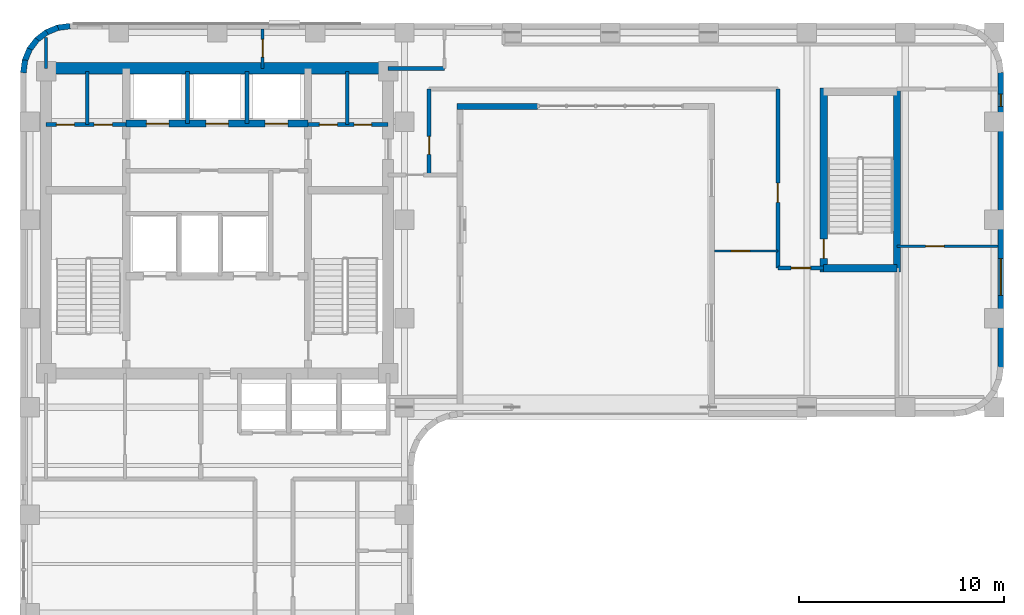
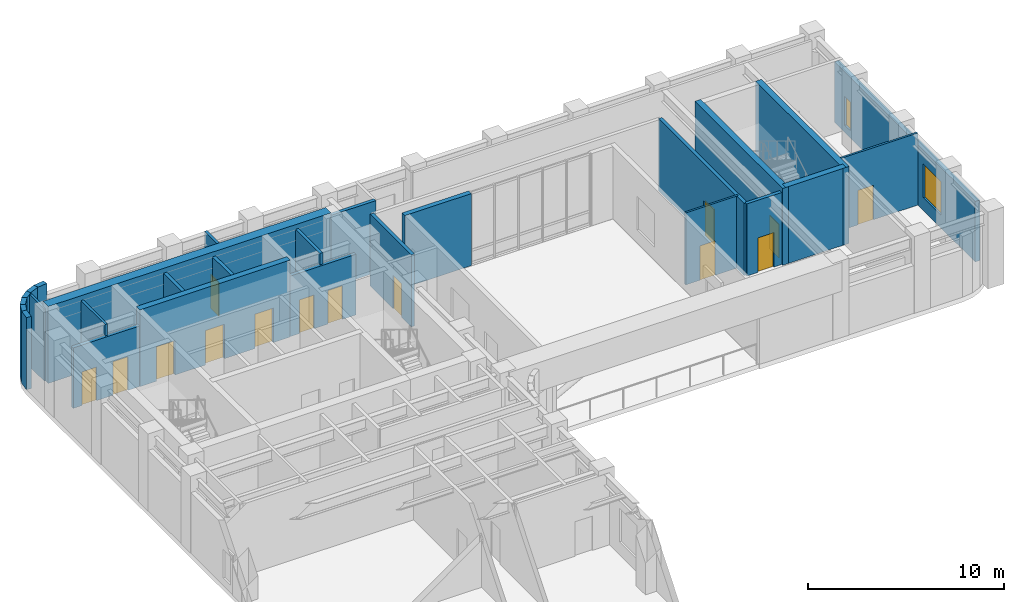
# One storey, part 8 of 12: 27 walls, 14 doors, 2 windows, 16 openings.
"""IFC4 building model written with IfcOpenShell, lengths in metres."""

from ifc_helpers import new_model, si_unit, direction, frame, frame_2d, origin, place, context, subcontext, project, spatial, rectangle, extrude, material, layer, layer_set, type_object, element, fill, save


model = new_model("IFC4")

# Units and contexts
model_context = context("Model", 3, precision=1e-05, world=origin(), true_north=direction((0.0, 1.0)))
body_context = subcontext(model_context, "Body", "Model", "MODEL_VIEW")
ifc_project = project(units=[si_unit("LENGTHUNIT", "METRE"), si_unit("AREAUNIT", "SQUARE_METRE"), si_unit("VOLUMEUNIT", "CUBIC_METRE"), si_unit("PLANEANGLEUNIT", "RADIAN"), si_unit("MASSUNIT", "GRAM", prefix="KILO")], contexts=[model_context])

# Site, building, storey
site_placement = place(None, origin())
site = spatial("IfcSite", under=ifc_project, at=site_placement, CompositionType="ELEMENT")
building_placement = place(site_placement, origin())
building = spatial("IfcBuilding", under=site, at=building_placement, Name="Orvandelia Arch Residences", CompositionType="ELEMENT")
storey_placement = place(building_placement, frame((0.0, 0.0, 193.60009765625)))
storey = spatial("IfcBuildingStorey", under=building, at=storey_placement, Name="L51", CompositionType="ELEMENT", Elevation=193.60009765625)

# Wall, openings, doors
ifc_material_1 = material(Name="Concrete C50/60", Category="concrete")
ifc_layer_1 = layer(ifc_material_1, 0.35009765625, Name="Concrete C50/60", Category="concrete")
ifc_layer_set_1 = layer_set([ifc_layer_1], Name="Concrete C50/60")
wall_type_1 = type_object("IfcWallType", Name="WL-CORE-350", PredefinedType="SHEAR", material=ifc_layer_set_1)
wall_1_placement = place(storey_placement, frame((9.9599609375, 43.10009765625, 0.0), z_axis=(0.0, 0.0, 1.0), x_axis=(1.0, 0.0, 0.0)))
wall_1 = element("IfcWall", 1, at=wall_1_placement, inside=storey, type_object=wall_type_1, Name="Core Shear Wall L51-HZ4", PredefinedType="SHEAR", context=body_context, shape_type="SweptSolid", body=[
    extrude(rectangle(XDim=8.880126953125, YDim=0.35009765625, at=frame_2d((4.43994140625, 0.0))), origin(), (0.0, 0.0, 1.0), 4.7998046875),
])
opening_1_placement = place(wall_1_placement, frame((0.989990234375, 0.0, 0.0)))
opening_1 = element("IfcOpeningElement", 2, at=opening_1_placement, cuts=wall_1, Name="Opening LD", PredefinedType="OPENING", context=body_context, shape_type="SweptSolid", body=[
    extrude(rectangle(XDim=1.10009765625, YDim=2.14990234375, at=frame_2d((0.550048828125, 1.074951171875))), frame((0.0, 0.18505859375, 0.0), z_axis=(0.0, -1.0, 0.0), x_axis=(1.0, 0.0, 0.0)), (0.0, 0.0, 1.0), 0.3701171875),
])
opening_2_placement = place(wall_1_placement, frame((3.889892578125, 0.0, 0.0)))
opening_2 = element("IfcOpeningElement", 3, at=opening_2_placement, cuts=wall_1, Name="Opening LD", PredefinedType="OPENING", context=body_context, shape_type="SweptSolid", body=[
    extrude(rectangle(XDim=1.10009765625, YDim=2.14990234375, at=frame_2d((0.550048828125, 1.074951171875))), frame((0.0, 0.18505859375, 0.0), z_axis=(0.0, -1.0, 0.0), x_axis=(1.0, 0.0, 0.0)), (0.0, 0.0, 1.0), 0.3701171875),
])
opening_3_placement = place(wall_1_placement, frame((6.7900390625, 0.0, 0.0)))
opening_3 = element("IfcOpeningElement", 4, at=opening_3_placement, cuts=wall_1, Name="Opening LD", PredefinedType="OPENING", context=body_context, shape_type="SweptSolid", body=[
    extrude(rectangle(XDim=1.10009765625, YDim=2.14990234375, at=frame_2d((0.550048828125, 1.074951171875))), frame((0.0, 0.18505859375, 0.0), z_axis=(0.0, -1.0, 0.0), x_axis=(1.0, 0.0, 0.0)), (0.0, 0.0, 1.0), 0.3701171875),
])
ifc_material_2 = material(Name="Brushed Stainless Steel Sliding Lift Door", Category="steel")
door_type_1 = type_object("IfcDoorType", Name="DR-LIFT-1100", OperationType="NOTDEFINED", PredefinedType="DOOR", material=ifc_material_2)
door_1_placement = place(opening_1_placement, origin())
door_1 = element("IfcDoor", 5, at=door_1_placement, inside=storey, type_object=door_type_1, Name="Lift Landing Door LD-PH1-L51", OperationType="SLIDING_TO_LEFT", OverallHeight=2.14990234375, OverallWidth=1.10009765625, PredefinedType="DOOR", context=body_context, shape_type="SweptSolid", body=[
    extrude(rectangle(XDim=1.10009765625, YDim=2.14990234375, at=frame_2d((0.550048828125, 1.074951171875))), frame((0.0, 0.02490234375, 0.0), z_axis=(0.0, -1.0, 0.0), x_axis=(1.0, 0.0, 0.0)), (0.0, 0.0, 1.0), 0.050048828125),
])
fill(opening_1, door_1)
door_2_placement = place(opening_2_placement, origin())
door_2 = element("IfcDoor", 6, at=door_2_placement, inside=storey, type_object=door_type_1, Name="Lift Landing Door LD-PH2-L51", OperationType="SLIDING_TO_RIGHT", OverallHeight=2.14990234375, OverallWidth=1.10009765625, PredefinedType="DOOR", context=body_context, shape_type="SweptSolid", body=[
    extrude(rectangle(XDim=1.10009765625, YDim=2.14990234375, at=frame_2d((0.550048828125, 1.074951171875))), frame((0.0, 0.02490234375, 0.0), z_axis=(0.0, -1.0, 0.0), x_axis=(1.0, 0.0, 0.0)), (0.0, 0.0, 1.0), 0.050048828125),
])
fill(opening_2, door_2)
door_3_placement = place(opening_3_placement, origin())
door_3 = element("IfcDoor", 7, at=door_3_placement, inside=storey, type_object=door_type_1, Name="Lift Landing Door LD-PH3-L51", OperationType="SLIDING_TO_LEFT", OverallHeight=2.14990234375, OverallWidth=1.10009765625, PredefinedType="DOOR", context=body_context, shape_type="SweptSolid", body=[
    extrude(rectangle(XDim=1.10009765625, YDim=2.14990234375, at=frame_2d((0.550048828125, 1.074951171875))), frame((0.0, 0.02490234375, 0.0), z_axis=(0.0, -1.0, 0.0), x_axis=(1.0, 0.0, 0.0)), (0.0, 0.0, 1.0), 0.050048828125),
])
fill(opening_3, door_3)

# Wall, opening, door
wall_2_placement = place(storey_placement, frame((44.02001953125, 35.864990234375, 0.0), z_axis=(0.0, 0.0, 1.0), x_axis=(0.0, 1.0, 0.0)))
wall_2 = element("IfcWall", 8, at=wall_2_placement, inside=storey, type_object=wall_type_1, Name="East Stair Core Shear Wall L51-W", PredefinedType="SHEAR", context=body_context, shape_type="SweptSolid", body=[
    extrude(rectangle(XDim=8.969970703125, YDim=0.35009765625, at=frame_2d((4.48486328125, 0.0))), origin(), (0.0, 0.0, 1.0), 4.7998046875),
])
opening_4_placement = place(wall_2_placement, frame((0.64990234375, 0.0, 0.0)))
opening_4 = element("IfcOpeningElement", 9, at=opening_4_placement, cuts=wall_2, Name="Opening D7", PredefinedType="OPENING", context=body_context, shape_type="SweptSolid", body=[
    extrude(rectangle(XDim=0.949951171875, YDim=2.10009765625, at=frame_2d((0.47509765625, 1.050048828125))), frame((0.0, 0.18505859375, 0.0), z_axis=(0.0, -1.0, 0.0), x_axis=(1.0, 0.0, 0.0)), (0.0, 0.0, 1.0), 0.3701171875),
])
ifc_material_3 = material(Name="Pressurised Stairwell Fire Door")
door_type_2 = type_object("IfcDoorType", Name="DR-STAIR-950", OperationType="NOTDEFINED", PredefinedType="DOOR", material=ifc_material_3)
door_4_placement = place(opening_4_placement, origin())
door_4 = element("IfcDoor", 10, at=door_4_placement, inside=storey, type_object=door_type_2, Name="East Stairwell ST-3 Fire Door L51", OperationType="SINGLE_SWING_LEFT", OverallHeight=2.10009765625, OverallWidth=0.949951171875, PredefinedType="DOOR", context=body_context, shape_type="SweptSolid", body=[
    extrude(rectangle(XDim=0.949951171875, YDim=2.10009765625, at=frame_2d((0.47509765625, 1.050048828125))), frame((0.0, 0.02490234375, 0.0), z_axis=(0.0, -1.0, 0.0), x_axis=(1.0, 0.0, 0.0)), (0.0, 0.0, 1.0), 0.050048828125),
])
fill(opening_4, door_4)

# Walls
wall_3_placement = place(storey_placement, frame((47.60009765625, 35.864990234375, 0.0), z_axis=(0.0, 0.0, 1.0), x_axis=(0.0, 1.0, 0.0)))
element("IfcWall", 11, at=wall_3_placement, inside=storey, type_object=wall_type_1, Name="East Stair Core Shear Wall L51-E", PredefinedType="SHEAR", context=body_context, shape_type="SweptSolid", body=[
    extrude(rectangle(XDim=8.969970703125, YDim=0.35009765625, at=frame_2d((4.48486328125, 0.0))), origin(), (0.0, 0.0, 1.0), 4.7998046875),
])
wall_4_placement = place(storey_placement, frame((44.02001953125, 36.0400390625, 0.0), z_axis=(0.0, 0.0, 1.0), x_axis=(1.0, 0.0, 0.0)))
element("IfcWall", 12, at=wall_4_placement, inside=storey, type_object=wall_type_1, Name="East Stair Core Shear Wall L51-S", PredefinedType="SHEAR", context=body_context, shape_type="SweptSolid", body=[
    extrude(rectangle(XDim=3.580078125, YDim=0.35009765625, at=frame_2d((1.7900390625, 0.0))), origin(), (0.0, 0.0, 1.0), 4.7998046875),
])
ifc_material_4 = material(Name="Concrete C60/75", Category="concrete")
ifc_layer_2 = layer(ifc_material_4, 0.550048828125, Name="Concrete C60/75", Category="concrete")
ifc_layer_set_2 = layer_set([ifc_layer_2], Name="Concrete C60/75")
wall_type_2 = type_object("IfcWallType", Name="WL-CORE-550", PredefinedType="SHEAR", material=ifc_layer_set_2)
wall_5_placement = place(storey_placement, frame((6.050048828125, 45.800048828125, 0.0), z_axis=(0.0, 0.0, 1.0), x_axis=(1.0, 0.0, 0.0)))
element("IfcWall", 13, at=wall_5_placement, inside=storey, type_object=wall_type_2, Name="Core Shear Wall L51-N", PredefinedType="SHEAR", context=body_context, shape_type="SweptSolid", body=[
    extrude(rectangle(XDim=16.699951171875, YDim=0.550048828125, at=frame_2d((8.35009765625, 0.0))), origin(), (0.0, 0.0, 1.0), 4.7998046875),
])
ifc_material_5 = material(Name="Fire-Rated Corridor Partition")
ifc_layer_3 = layer(ifc_material_5, 0.199951171875, Name="Fire-Rated Corridor Partition")
ifc_layer_set_3 = layer_set([ifc_layer_3], Name="Fire-Rated Corridor Partition")
wall_type_3 = type_object("IfcWallType", Name="WL-CORR-200", PredefinedType="PARTITIONING", material=ifc_layer_set_3)
wall_6_placement = place(storey_placement, frame((22.75, 45.800048828125, 0.0), z_axis=(0.0, 0.0, 1.0), x_axis=(1.0, 0.0, 0.0)))
element("IfcWall", 14, at=wall_6_placement, inside=storey, type_object=wall_type_3, Name="Interior Partition Wall WL-L51-SKNC-S", PredefinedType="PARTITIONING", context=body_context, shape_type="SweptSolid", body=[
    extrude(rectangle(XDim=2.75, YDim=0.199951171875, at=frame_2d((1.375, 0.0))), origin(), (0.0, 0.0, 1.0), 4.5),
])

# Wall, opening, door
wall_7_placement = place(storey_placement, frame((24.75, 40.60009765625, 0.0), z_axis=(0.0, 0.0, 1.0), x_axis=(0.0, 1.0, 0.0)))
wall_7 = element("IfcWall", 15, at=wall_7_placement, inside=storey, type_object=wall_type_3, Name="Interior Partition Wall WL-L51-SKELW", PredefinedType="PARTITIONING", context=body_context, shape_type="SweptSolid", body=[
    extrude(rectangle(XDim=4.199951171875, YDim=0.199951171875, at=frame_2d((2.10009765625, 0.0))), origin(), (0.0, 0.0, 1.0), 4.5),
])
opening_5_placement = place(wall_7_placement, frame((1.0, 0.0, 0.0)))
opening_5 = element("IfcOpeningElement", 16, at=opening_5_placement, cuts=wall_7, Name="Opening D5", PredefinedType="OPENING", context=body_context, shape_type="SweptSolid", body=[
    extrude(rectangle(XDim=0.8798828125, YDim=2.10009765625, at=frame_2d((0.43994140625, 1.050048828125))), frame((0.0, 0.10986328125, 0.0), z_axis=(0.0, -1.0, 0.0), x_axis=(1.0, 0.0, 0.0)), (0.0, 0.0, 1.0), 0.219970703125),
])
ifc_material_6 = material(Name="Painted Galvanised Steel Service Door", Category="steel")
door_type_3 = type_object("IfcDoorType", Name="DR-SRV-880", OperationType="NOTDEFINED", PredefinedType="DOOR", material=ifc_material_6)
door_5_placement = place(opening_5_placement, origin())
door_5 = element("IfcDoor", 17, at=door_5_placement, inside=storey, type_object=door_type_3, Name="DR-L51-SKWFOY", OperationType="SINGLE_SWING_RIGHT", OverallHeight=2.10009765625, OverallWidth=0.8798828125, PredefinedType="DOOR", context=body_context, shape_type="SweptSolid", body=[
    extrude(rectangle(XDim=0.8798828125, YDim=2.10009765625, at=frame_2d((0.43994140625, 1.050048828125))), frame((0.0, 0.02490234375, 0.0), z_axis=(0.0, -1.0, 0.0), x_axis=(1.0, 0.0, 0.0)), (0.0, 0.0, 1.0), 0.050048828125),
])
fill(opening_5, door_5)

wall_8_placement = place(storey_placement, frame((41.780029296875, 36.050048828125, 0.0), z_axis=(0.0, 0.0, 1.0), x_axis=(0.0, 1.0, 0.0)))
wall_8 = element("IfcWall", 18, at=wall_8_placement, inside=storey, type_object=wall_type_3, Name="Interior Partition Wall WL-L51-SKESW", PredefinedType="PARTITIONING", context=body_context, shape_type="SweptSolid", body=[
    extrude(rectangle(XDim=8.75, YDim=0.199951171875, at=frame_2d((4.375, 0.0))), origin(), (0.0, 0.0, 1.0), 4.5),
])
opening_6_placement = place(wall_8_placement, frame((3.199951171875, 0.0, 0.0)))
opening_6 = element("IfcOpeningElement", 19, at=opening_6_placement, cuts=wall_8, Name="Opening D2", PredefinedType="OPENING", context=body_context, shape_type="SweptSolid", body=[
    extrude(rectangle(XDim=0.949951171875, YDim=2.14990234375, at=frame_2d((0.47509765625, 1.074951171875))), frame((0.0, 0.10986328125, 0.0), z_axis=(0.0, -1.0, 0.0), x_axis=(1.0, 0.0, 0.0)), (0.0, 0.0, 1.0), 0.219970703125),
])
ifc_material_7 = material(Name="Solid-Core Timber Interior Fire Door", Category="wood")
door_type_4 = type_object("IfcDoorType", Name="DR-APT-950", OperationType="NOTDEFINED", PredefinedType="DOOR", material=ifc_material_7)
door_6_placement = place(opening_6_placement, origin())
door_6 = element("IfcDoor", 20, at=door_6_placement, inside=storey, type_object=door_type_4, Name="DR-L51-SKEL1B", OperationType="SINGLE_SWING_LEFT", OverallHeight=2.14990234375, OverallWidth=0.949951171875, PredefinedType="DOOR", context=body_context, shape_type="SweptSolid", body=[
    extrude(rectangle(XDim=0.949951171875, YDim=2.14990234375, at=frame_2d((0.47509765625, 1.074951171875))), frame((0.0, 0.02490234375, 0.0), z_axis=(0.0, -1.0, 0.0), x_axis=(1.0, 0.0, 0.0)), (0.0, 0.0, 1.0), 0.050048828125),
])
fill(opening_6, door_6)

wall_9_placement = place(storey_placement, frame((41.780029296875, 36.050048828125, 0.0), z_axis=(0.0, 0.0, 1.0), x_axis=(1.0, 0.0, 0.0)))
wall_9 = element("IfcWall", 21, at=wall_9_placement, inside=storey, type_object=wall_type_3, Name="Interior Partition Wall WL-L51-SKESS", PredefinedType="PARTITIONING", context=body_context, shape_type="SweptSolid", body=[
    extrude(rectangle(XDim=2.239990234375, YDim=0.199951171875, at=frame_2d((1.1201171875, 0.0))), origin(), (0.0, 0.0, 1.0), 4.5),
])
opening_7_placement = place(wall_9_placement, frame((0.64990234375, 0.0, 0.0)))
opening_7 = element("IfcOpeningElement", 22, at=opening_7_placement, cuts=wall_9, Name="Opening D2", PredefinedType="OPENING", context=body_context, shape_type="SweptSolid", body=[
    extrude(rectangle(XDim=0.949951171875, YDim=2.14990234375, at=frame_2d((0.47509765625, 1.074951171875))), frame((0.0, 0.10986328125, 0.0), z_axis=(0.0, -1.0, 0.0), x_axis=(1.0, 0.0, 0.0)), (0.0, 0.0, 1.0), 0.219970703125),
])
door_7_placement = place(opening_7_placement, origin())
door_7 = element("IfcDoor", 23, at=door_7_placement, inside=storey, type_object=door_type_4, Name="DR-L51-SKS3", OperationType="SINGLE_SWING_RIGHT", OverallHeight=2.14990234375, OverallWidth=0.949951171875, PredefinedType="DOOR", context=body_context, shape_type="SweptSolid", body=[
    extrude(rectangle(XDim=0.949951171875, YDim=2.14990234375, at=frame_2d((0.47509765625, 1.074951171875))), frame((0.0, 0.02490234375, 0.0), z_axis=(0.0, -1.0, 0.0), x_axis=(1.0, 0.0, 0.0)), (0.0, 0.0, 1.0), 0.050048828125),
])
fill(opening_7, door_7)

# Walls
ifc_material_8 = material(Name="Precast concrete C40/50", Category="concrete")
ifc_layer_4 = layer(ifc_material_8, 0.280029296875, Name="Precast concrete C40/50", Category="concrete")
ifc_layer_set_4 = layer_set([ifc_layer_4], Name="Precast concrete C40/50")
wall_type_4 = type_object("IfcWallType", Name="WL-EXT-STONE-280", PredefinedType="STANDARD", material=ifc_layer_set_4)
for number, where, z_axis, x_axis, name in (
    (24, (4.938720703125, 45.581787109375, 0.0), (0.0, 0.0, 1.0), (0.130555323746, 0.9914410257, 0.0), "Coral-Limestone Precast Facade Wall L51-001"),
    (25, (5.010986328125, 46.16748046875, 0.0), (0.0, 0.0, 1.0), (0.382650053678, 0.92389335771, 0.0), "Coral-Limestone Precast Facade Wall L51-002"),
    (26, (5.232666015625, 46.71484375, 0.0), (0.0, 0.0, 1.0), (0.608693302629, 0.793405610854, 0.0), "Coral-Limestone Precast Facade Wall L51-003"),
    (27, (5.588134765625, 47.18603515625, 0.0), (0.0, 0.0, 1.0), (0.793405610854, 0.608693302629, 0.0), "Coral-Limestone Precast Facade Wall L51-004"),
):
    element("IfcWall", number, at=place(storey_placement, frame(where, z_axis=z_axis, x_axis=x_axis)), inside=storey, type_object=wall_type_4, Name=name, PredefinedType="STANDARD", context=body_context, shape_type="SweptSolid", body=[
        extrude(rectangle(XDim=0.62646484375, YDim=0.280029296875, at=frame_2d((0.313232421875, 0.0))), origin(), (0.0, 0.0, 1.0), 4.5),
    ])
wall_10_placement = place(storey_placement, frame((6.0537109375, 47.54931640625, 0.0), z_axis=(0.0, 0.0, 1.0), x_axis=(0.923974080304, 0.382455093999, 0.0)))
element("IfcWall", 28, at=wall_10_placement, inside=storey, type_object=wall_type_4, Name="Coral-Limestone Precast Facade Wall L51-005", PredefinedType="STANDARD", context=body_context, shape_type="SweptSolid", body=[
    extrude(rectangle(XDim=0.626220703125, YDim=0.280029296875, at=frame_2d((0.31298828125, 0.0))), origin(), (0.0, 0.0, 1.0), 4.5),
])
wall_11_placement = place(storey_placement, frame((6.59716796875, 47.779296875, 0.0), z_axis=(0.0, 0.0, 1.0), x_axis=(0.9914410257, 0.130555323746, 0.0)))
element("IfcWall", 29, at=wall_11_placement, inside=storey, type_object=wall_type_4, Name="Coral-Limestone Precast Facade Wall L51-006", PredefinedType="STANDARD", context=body_context, shape_type="SweptSolid", body=[
    extrude(rectangle(XDim=0.62646484375, YDim=0.280029296875, at=frame_2d((0.313232421875, 0.0))), origin(), (0.0, 0.0, 1.0), 4.5),
])

# Wall, openings, windows
wall_12_placement = place(storey_placement, frame((52.659912109375, 45.60009765625, 0.0), z_axis=(0.0, 0.0, 1.0), x_axis=(0.0, -1.0, 0.0)))
wall_12 = element("IfcWall", 30, at=wall_12_placement, inside=storey, type_object=wall_type_4, Name="Coral-Limestone Precast Facade Wall L51-014", PredefinedType="STANDARD", context=body_context, shape_type="SweptSolid", body=[
    extrude(rectangle(XDim=14.400146484375, YDim=0.280029296875, at=frame_2d((7.2001953125, 0.0))), origin(), (0.0, 0.0, 1.0), 3.77978515625),
])
opening_8_placement = place(wall_12_placement, frame((1.0625, 0.0, 0.449951171875)))
opening_8 = element("IfcOpeningElement", 31, at=opening_8_placement, cuts=wall_12, Name="Opening W12", PredefinedType="OPENING", context=body_context, shape_type="SweptSolid", body=[
    extrude(rectangle(XDim=0.60009765625, YDim=1.800048828125, at=frame_2d((0.300048828125, 0.89990234375))), frame((0.0, 0.14990234375, 0.0), z_axis=(0.0, -1.0, 0.0), x_axis=(1.0, 0.0, 0.0)), (0.0, 0.0, 1.0), 0.300048828125),
])
opening_9_placement = place(wall_12_placement, frame((9.092529296875, 0.0, 0.800048828125)))
opening_9 = element("IfcOpeningElement", 32, at=opening_9_placement, cuts=wall_12, Name="Opening W1", PredefinedType="OPENING", context=body_context, shape_type="SweptSolid", body=[
    extrude(rectangle(XDim=1.800048828125, YDim=2.10009765625, at=frame_2d((0.89990234375, 1.050048828125))), frame((0.0, 0.14990234375, 0.0), z_axis=(0.0, -1.0, 0.0), x_axis=(1.0, 0.0, 0.0)), (0.0, 0.0, 1.0), 0.300048828125),
])
ifc_material_9 = material(Name="Tempered Low-E Insulated Glazing", Category="glass")
window_type_1 = type_object("IfcWindowType", Name="WIN-LAN-0600x1800", PartitioningType="SINGLE_PANEL", PredefinedType="WINDOW", material=ifc_material_9)
window_1_placement = place(opening_8_placement, origin())
window_1 = element("IfcWindow", 33, at=window_1_placement, inside=storey, type_object=window_type_1, Name="Recessed Punched Window L51-004", OverallHeight=1.800048828125, OverallWidth=0.60009765625, PartitioningType="SINGLE_PANEL", PredefinedType="WINDOW", context=body_context, shape_type="SweptSolid", body=[
    extrude(rectangle(XDim=0.60009765625, YDim=1.800048828125, at=frame_2d((0.300048828125, 0.89990234375))), frame((0.0, 0.030029296875, 0.0), z_axis=(0.0, -1.0, 0.0), x_axis=(1.0, 0.0, 0.0)), (0.0, 0.0, 1.0), 0.06005859375),
])
fill(opening_8, window_1)
window_type_2 = type_object("IfcWindowType", Name="WIN-RES-1800x2100", PartitioningType="SINGLE_PANEL", PredefinedType="WINDOW", material=ifc_material_9)
window_2_placement = place(opening_9_placement, origin())
window_2 = element("IfcWindow", 34, at=window_2_placement, inside=storey, type_object=window_type_2, Name="Recessed Punched Window L51-005", OverallHeight=2.10009765625, OverallWidth=1.800048828125, PartitioningType="SINGLE_PANEL", PredefinedType="WINDOW", context=body_context, shape_type="SweptSolid", body=[
    extrude(rectangle(XDim=1.800048828125, YDim=2.10009765625, at=frame_2d((0.89990234375, 1.050048828125))), frame((0.0, 0.030029296875, 0.0), z_axis=(0.0, -1.0, 0.0), x_axis=(1.0, 0.0, 0.0)), (0.0, 0.0, 1.0), 0.06005859375),
])
fill(opening_9, window_2)

# Wall
wall_13_placement = place(storey_placement, frame((30.0400390625, 43.93994140625, 0.0), z_axis=(0.0, 0.0, 1.0), x_axis=(-1.0, 0.0, 0.0)))
element("IfcWall", 35, at=wall_13_placement, inside=storey, type_object=wall_type_4, Name="Coral-Limestone Precast Facade Wall L51-024", PredefinedType="STANDARD", context=body_context, shape_type="SweptSolid", body=[
    extrude(rectangle(XDim=3.919921875, YDim=0.280029296875, at=frame_2d((1.9599609375, 0.0))), origin(), (0.0, 0.0, 1.0), 4.5),
])

# Wall, opening, door
ifc_material_10 = material(Name="Lightweight Gypsum Stud Partition")
ifc_layer_5 = layer(ifc_material_10, 0.1201171875, Name="Lightweight Gypsum Stud Partition")
ifc_layer_set_5 = layer_set([ifc_layer_5], Name="Lightweight Gypsum Stud Partition")
wall_type_5 = type_object("IfcWallType", Name="WL-PART-120", PredefinedType="PARTITIONING", material=ifc_layer_set_5)
wall_14_placement = place(storey_placement, frame((38.679931640625, 36.8798828125, 0.0), z_axis=(0.0, 0.0, 1.0), x_axis=(1.0, 0.0, 0.0)))
wall_14 = element("IfcWall", 36, at=wall_14_placement, inside=storey, type_object=wall_type_5, Name="Interior Partition Wall WL-L51-SKEM", PredefinedType="PARTITIONING", context=body_context, shape_type="SweptSolid", body=[
    extrude(rectangle(XDim=3.10009765625, YDim=0.1201171875, at=frame_2d((1.550048828125, 0.0))), origin(), (0.0, 0.0, 1.0), 4.5),
])
opening_10_placement = place(wall_14_placement, frame((0.830078125, 0.0, 0.0)))
opening_10 = element("IfcOpeningElement", 37, at=opening_10_placement, cuts=wall_14, Name="Opening D3", PredefinedType="OPENING", context=body_context, shape_type="SweptSolid", body=[
    extrude(rectangle(XDim=0.89990234375, YDim=2.14990234375, at=frame_2d((0.449951171875, 1.074951171875))), frame((0.0, 0.070068359375, 0.0), z_axis=(0.0, -1.0, 0.0), x_axis=(1.0, 0.0, 0.0)), (0.0, 0.0, 1.0), 0.14013671875),
])
ifc_material_11 = material(Name="Engineered Timber Flush Door", Category="wood")
door_type_5 = type_object("IfcDoorType", Name="DR-INT-900", OperationType="NOTDEFINED", PredefinedType="DOOR", material=ifc_material_11)
door_8_placement = place(opening_10_placement, origin())
door_8 = element("IfcDoor", 38, at=door_8_placement, inside=storey, type_object=door_type_5, Name="DR-L51-SKEL1A", OperationType="SINGLE_SWING_LEFT", OverallHeight=2.14990234375, OverallWidth=0.89990234375, PredefinedType="DOOR", context=body_context, shape_type="SweptSolid", body=[
    extrude(rectangle(XDim=0.89990234375, YDim=2.14990234375, at=frame_2d((0.449951171875, 1.074951171875))), frame((0.0, 0.02490234375, 0.0), z_axis=(0.0, -1.0, 0.0), x_axis=(1.0, 0.0, 0.0)), (0.0, 0.0, 1.0), 0.050048828125),
])
fill(opening_10, door_8)

wall_15_placement = place(storey_placement, frame((47.60009765625, 37.1201171875, 0.0), z_axis=(0.0, 0.0, 1.0), x_axis=(1.0, 0.0, 0.0)))
wall_15 = element("IfcWall", 39, at=wall_15_placement, inside=storey, type_object=wall_type_5, Name="Interior Partition Wall WL-L51-SKE2M", PredefinedType="PARTITIONING", context=body_context, shape_type="SweptSolid", body=[
    extrude(rectangle(XDim=4.919921875, YDim=0.1201171875, at=frame_2d((2.4599609375, 0.0))), origin(), (0.0, 0.0, 1.0), 4.5),
])
opening_11_placement = place(wall_15_placement, frame((1.39990234375, 0.0, 0.0)))
opening_11 = element("IfcOpeningElement", 40, at=opening_11_placement, cuts=wall_15, Name="Opening D3", PredefinedType="OPENING", context=body_context, shape_type="SweptSolid", body=[
    extrude(rectangle(XDim=0.89990234375, YDim=2.14990234375, at=frame_2d((0.449951171875, 1.074951171875))), frame((0.0, 0.070068359375, 0.0), z_axis=(0.0, -1.0, 0.0), x_axis=(1.0, 0.0, 0.0)), (0.0, 0.0, 1.0), 0.14013671875),
])
door_9_placement = place(opening_11_placement, origin())
door_9 = element("IfcDoor", 41, at=door_9_placement, inside=storey, type_object=door_type_5, Name="DR-L51-SKEL2B", OperationType="SINGLE_SWING_RIGHT", OverallHeight=2.14990234375, OverallWidth=0.89990234375, PredefinedType="DOOR", context=body_context, shape_type="SweptSolid", body=[
    extrude(rectangle(XDim=0.89990234375, YDim=2.14990234375, at=frame_2d((0.449951171875, 1.074951171875))), frame((0.0, 0.02490234375, 0.0), z_axis=(0.0, -1.0, 0.0), x_axis=(1.0, 0.0, 0.0)), (0.0, 0.0, 1.0), 0.050048828125),
])
fill(opening_11, door_9)

# Walls
ifc_material_12 = material(Name="Acoustic Gypsum Stud Partition")
ifc_layer_6 = layer(ifc_material_12, 0.14990234375, Name="Acoustic Gypsum Stud Partition")
ifc_layer_set_6 = layer_set([ifc_layer_6], Name="Acoustic Gypsum Stud Partition")
wall_type_6 = type_object("IfcWallType", Name="WL-PART-150", PredefinedType="PARTITIONING", material=ifc_layer_set_6)
wall_16_placement = place(storey_placement, frame((8.06005859375, 43.050048828125, 0.0), z_axis=(0.0, 0.0, 1.0), x_axis=(0.0, 1.0, 0.0)))
element("IfcWall", 42, at=wall_16_placement, inside=storey, type_object=wall_type_6, Name="Interior Partition Wall WL-L51-CRELC-M", PredefinedType="PARTITIONING", context=body_context, shape_type="SweptSolid", body=[
    extrude(rectangle(XDim=2.599853515625, YDim=0.14990234375, at=frame_2d((1.2998046875, 0.0))), origin(), (0.0, 0.0, 1.0), 4.5),
])
wall_17_placement = place(storey_placement, frame((6.050048828125, 45.800048828125, 0.0), z_axis=(0.0, 0.0, 1.0), x_axis=(0.0, 1.0, 0.0)))
element("IfcWall", 43, at=wall_17_placement, inside=storey, type_object=wall_type_6, Name="Interior Partition Wall WL-L51-SKNC-W6", PredefinedType="PARTITIONING", context=body_context, shape_type="SweptSolid", body=[
    extrude(rectangle(XDim=1.5, YDim=0.14990234375, at=frame_2d((0.75, 0.0))), origin(), (0.0, 0.0, 1.0), 4.5),
])

# Wall, opening, door
wall_18_placement = place(storey_placement, frame((16.6201171875, 45.800048828125, 0.0), z_axis=(0.0, 0.0, 1.0), x_axis=(0.0, 1.0, 0.0)))
wall_18 = element("IfcWall", 44, at=wall_18_placement, inside=storey, type_object=wall_type_6, Name="Interior Partition Wall WL-L51-SKNC-M", PredefinedType="PARTITIONING", context=body_context, shape_type="SweptSolid", body=[
    extrude(rectangle(XDim=1.919921875, YDim=0.14990234375, at=frame_2d((0.9599609375, 0.0))), origin(), (0.0, 0.0, 1.0), 4.5),
])
opening_12_placement = place(wall_18_placement, frame((0.550048828125, 0.0, 0.0)))
opening_12 = element("IfcOpeningElement", 45, at=opening_12_placement, cuts=wall_18, Name="Opening D4", PredefinedType="OPENING", context=body_context, shape_type="SweptSolid", body=[
    extrude(rectangle(XDim=0.860107421875, YDim=2.10009765625, at=frame_2d((0.43017578125, 1.050048828125))), frame((0.0, 0.0849609375, 0.0), z_axis=(0.0, -1.0, 0.0), x_axis=(1.0, 0.0, 0.0)), (0.0, 0.0, 1.0), 0.169921875),
])
ifc_material_13 = material(Name="Moisture-Sealed Timber Bathroom Door", Category="wood")
door_type_6 = type_object("IfcDoorType", Name="DR-WET-900", OperationType="NOTDEFINED", PredefinedType="DOOR", material=ifc_material_13)
door_10_placement = place(opening_12_placement, origin())
door_10 = element("IfcDoor", 46, at=door_10_placement, inside=storey, type_object=door_type_6, Name="DR-L51-SKNP1", OperationType="SINGLE_SWING_LEFT", OverallHeight=2.10009765625, OverallWidth=0.860107421875, PredefinedType="DOOR", context=body_context, shape_type="SweptSolid", body=[
    extrude(rectangle(XDim=0.860107421875, YDim=2.10009765625, at=frame_2d((0.43017578125, 1.050048828125))), frame((0.0, 0.02490234375, 0.0), z_axis=(0.0, -1.0, 0.0), x_axis=(1.0, 0.0, 0.0)), (0.0, 0.0, 1.0), 0.050048828125),
])
fill(opening_12, door_10)

# Wall, openings, doors
ifc_material_14 = material(Name="Fire-Rated Shaft Enclosure Wall")
ifc_layer_7 = layer(ifc_material_14, 0.199951171875, Name="Fire-Rated Shaft Enclosure Wall")
ifc_layer_set_7 = layer_set([ifc_layer_7], Name="Fire-Rated Shaft Enclosure Wall")
wall_type_7 = type_object("IfcWallType", Name="WL-SHAFT-200", PredefinedType="POLYGONAL", material=ifc_layer_set_7)
wall_19_placement = place(storey_placement, frame((18.840087890625, 43.050048828125, 0.0), z_axis=(0.0, 0.0, 1.0), x_axis=(1.0, 0.0, 0.0)))
wall_19 = element("IfcWall", 47, at=wall_19_placement, inside=storey, type_object=wall_type_7, Name="Interior Partition Wall WL-L51-HLE-N", PredefinedType="POLYGONAL", context=body_context, shape_type="SweptSolid", body=[
    extrude(rectangle(XDim=3.909912109375, YDim=0.199951171875, at=frame_2d((1.955078125, 0.0))), origin(), (0.0, 0.0, 1.0), 3.77978515625),
])
opening_13_placement = place(wall_19_placement, frame((0.550048828125, 0.0, 0.0)))
opening_13 = element("IfcOpeningElement", 48, at=opening_13_placement, cuts=wall_19, Name="Opening D5", PredefinedType="OPENING", context=body_context, shape_type="SweptSolid", body=[
    extrude(rectangle(XDim=0.8798828125, YDim=2.10009765625, at=frame_2d((0.43994140625, 1.050048828125))), frame((0.0, 0.10986328125, 0.0), z_axis=(0.0, -1.0, 0.0), x_axis=(1.0, 0.0, 0.0)), (0.0, 0.0, 1.0), 0.219970703125),
])
opening_14_placement = place(wall_19_placement, frame((2.25, 0.0, 0.0)))
opening_14 = element("IfcOpeningElement", 49, at=opening_14_placement, cuts=wall_19, Name="Opening D4", PredefinedType="OPENING", context=body_context, shape_type="SweptSolid", body=[
    extrude(rectangle(XDim=0.860107421875, YDim=2.10009765625, at=frame_2d((0.43017578125, 1.050048828125))), frame((0.0, 0.10986328125, 0.0), z_axis=(0.0, -1.0, 0.0), x_axis=(1.0, 0.0, 0.0)), (0.0, 0.0, 1.0), 0.219970703125),
])
door_11_placement = place(opening_13_placement, origin())
door_11 = element("IfcDoor", 50, at=door_11_placement, inside=storey, type_object=door_type_3, Name="DR-L51-CSB1", OperationType="SINGLE_SWING_LEFT", OverallHeight=2.10009765625, OverallWidth=0.8798828125, PredefinedType="DOOR", context=body_context, shape_type="SweptSolid", body=[
    extrude(rectangle(XDim=0.8798828125, YDim=2.10009765625, at=frame_2d((0.43994140625, 1.050048828125))), frame((0.0, 0.02490234375, 0.0), z_axis=(0.0, -1.0, 0.0), x_axis=(1.0, 0.0, 0.0)), (0.0, 0.0, 1.0), 0.050048828125),
])
fill(opening_13, door_11)
door_12_placement = place(opening_14_placement, origin())
door_12 = element("IfcDoor", 51, at=door_12_placement, inside=storey, type_object=door_type_6, Name="DR-L51-CSB2", OperationType="SINGLE_SWING_RIGHT", OverallHeight=2.10009765625, OverallWidth=0.860107421875, PredefinedType="DOOR", context=body_context, shape_type="SweptSolid", body=[
    extrude(rectangle(XDim=0.860107421875, YDim=2.10009765625, at=frame_2d((0.43017578125, 1.050048828125))), frame((0.0, 0.02490234375, 0.0), z_axis=(0.0, -1.0, 0.0), x_axis=(1.0, 0.0, 0.0)), (0.0, 0.0, 1.0), 0.050048828125),
])
fill(opening_14, door_12)

wall_20_placement = place(storey_placement, frame((6.050048828125, 43.050048828125, 0.0), z_axis=(0.0, 0.0, 1.0), x_axis=(1.0, 0.0, 0.0)))
wall_20 = element("IfcWall", 52, at=wall_20_placement, inside=storey, type_object=wall_type_7, Name="Interior Partition Wall WL-L51-HLW-N", PredefinedType="POLYGONAL", context=body_context, shape_type="SweptSolid", body=[
    extrude(rectangle(XDim=3.909912109375, YDim=0.199951171875, at=frame_2d((1.955078125, 0.0))), origin(), (0.0, 0.0, 1.0), 3.77978515625),
])
opening_15_placement = place(wall_20_placement, frame((0.5, 0.0, 0.0)))
opening_15 = element("IfcOpeningElement", 53, at=opening_15_placement, cuts=wall_20, Name="Opening D5", PredefinedType="OPENING", context=body_context, shape_type="SweptSolid", body=[
    extrude(rectangle(XDim=0.8798828125, YDim=2.10009765625, at=frame_2d((0.43994140625, 1.050048828125))), frame((0.0, 0.10986328125, 0.0), z_axis=(0.0, -1.0, 0.0), x_axis=(1.0, 0.0, 0.0)), (0.0, 0.0, 1.0), 0.219970703125),
])
opening_16_placement = place(wall_20_placement, frame((2.35009765625, 0.0, 0.0)))
opening_16 = element("IfcOpeningElement", 54, at=opening_16_placement, cuts=wall_20, Name="Opening D5", PredefinedType="OPENING", context=body_context, shape_type="SweptSolid", body=[
    extrude(rectangle(XDim=0.8798828125, YDim=2.10009765625, at=frame_2d((0.43994140625, 1.050048828125))), frame((0.0, 0.10986328125, 0.0), z_axis=(0.0, -1.0, 0.0), x_axis=(1.0, 0.0, 0.0)), (0.0, 0.0, 1.0), 0.219970703125),
])
door_13_placement = place(opening_15_placement, origin())
door_13 = element("IfcDoor", 55, at=door_13_placement, inside=storey, type_object=door_type_3, Name="DR-L51-CRELC1", OperationType="SINGLE_SWING_LEFT", OverallHeight=2.10009765625, OverallWidth=0.8798828125, PredefinedType="DOOR", context=body_context, shape_type="SweptSolid", body=[
    extrude(rectangle(XDim=0.8798828125, YDim=2.10009765625, at=frame_2d((0.43994140625, 1.050048828125))), frame((0.0, 0.02490234375, 0.0), z_axis=(0.0, -1.0, 0.0), x_axis=(1.0, 0.0, 0.0)), (0.0, 0.0, 1.0), 0.050048828125),
])
fill(opening_15, door_13)
door_14_placement = place(opening_16_placement, origin())
door_14 = element("IfcDoor", 56, at=door_14_placement, inside=storey, type_object=door_type_3, Name="DR-L51-CRELC2", OperationType="SINGLE_SWING_RIGHT", OverallHeight=2.10009765625, OverallWidth=0.8798828125, PredefinedType="DOOR", context=body_context, shape_type="SweptSolid", body=[
    extrude(rectangle(XDim=0.8798828125, YDim=2.10009765625, at=frame_2d((0.43994140625, 1.050048828125))), frame((0.0, 0.02490234375, 0.0), z_axis=(0.0, -1.0, 0.0), x_axis=(1.0, 0.0, 0.0)), (0.0, 0.0, 1.0), 0.050048828125),
])
fill(opening_16, door_14)

# Walls
for number, where, z_axis, x_axis, name in (
    (57, (12.949951171875, 43.10009765625, 0.0), (0.0, 0.0, 1.0), (0.0, 1.0, 0.0), "Interior Partition Wall WL-L51-PHD1"),
    (58, (15.85009765625, 43.10009765625, 0.0), (0.0, 0.0, 1.0), (0.0, 1.0, 0.0), "Interior Partition Wall WL-L51-PHD2"),
):
    element("IfcWall", number, at=place(storey_placement, frame(where, z_axis=z_axis, x_axis=x_axis)), inside=storey, type_object=wall_type_7, Name=name, PredefinedType="POLYGONAL", context=body_context, shape_type="SweptSolid", body=[
        extrude(rectangle(XDim=2.5498046875, YDim=0.199951171875, at=frame_2d((1.27490234375, 0.0))), origin(), (0.0, 0.0, 1.0), 4.5),
    ])
ifc_material_15 = material(Name="Moisture-Resistant Plumbing Wall")
ifc_layer_8 = layer(ifc_material_15, 0.179931640625, Name="Moisture-Resistant Plumbing Wall")
ifc_layer_set_8 = layer_set([ifc_layer_8], Name="Moisture-Resistant Plumbing Wall")
wall_type_8 = type_object("IfcWallType", Name="WL-WET-180", PredefinedType="PLUMBINGWALL", material=ifc_layer_set_8)
wall_21_placement = place(storey_placement, frame((20.75, 43.050048828125, 0.0), z_axis=(0.0, 0.0, 1.0), x_axis=(0.0, 1.0, 0.0)))
element("IfcWall", 59, at=wall_21_placement, inside=storey, type_object=wall_type_8, Name="Interior Partition Wall WL-L51-CSB-1", PredefinedType="PLUMBINGWALL", context=body_context, shape_type="SweptSolid", body=[
    extrude(rectangle(XDim=2.599853515625, YDim=0.179931640625, at=frame_2d((1.2998046875, 0.0))), origin(), (0.0, 0.0, 1.0), 4.5),
])

save(model, "model.ifc")
